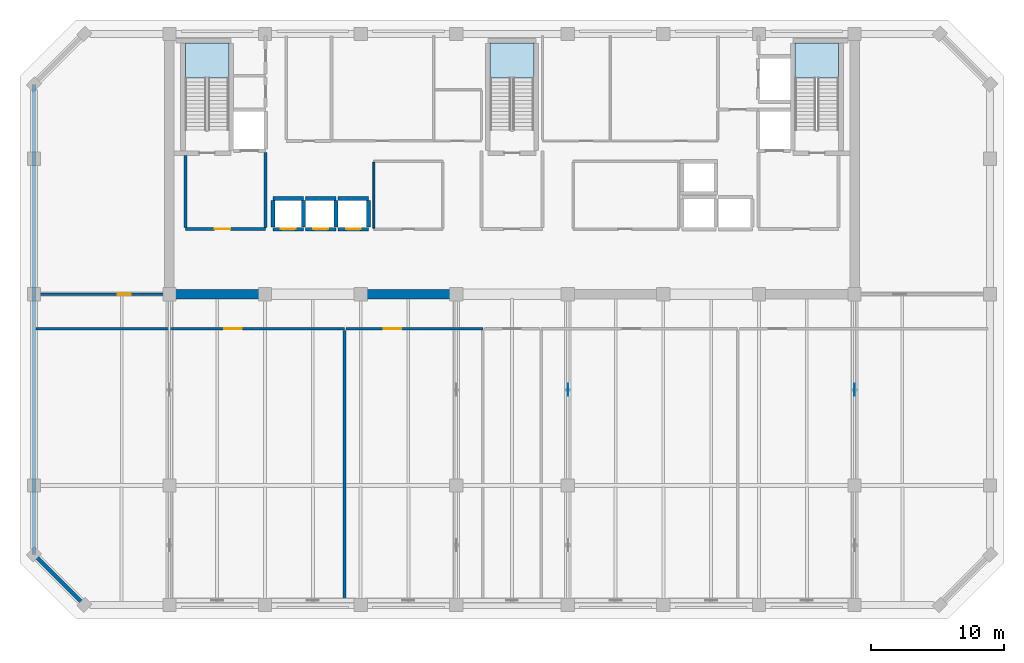
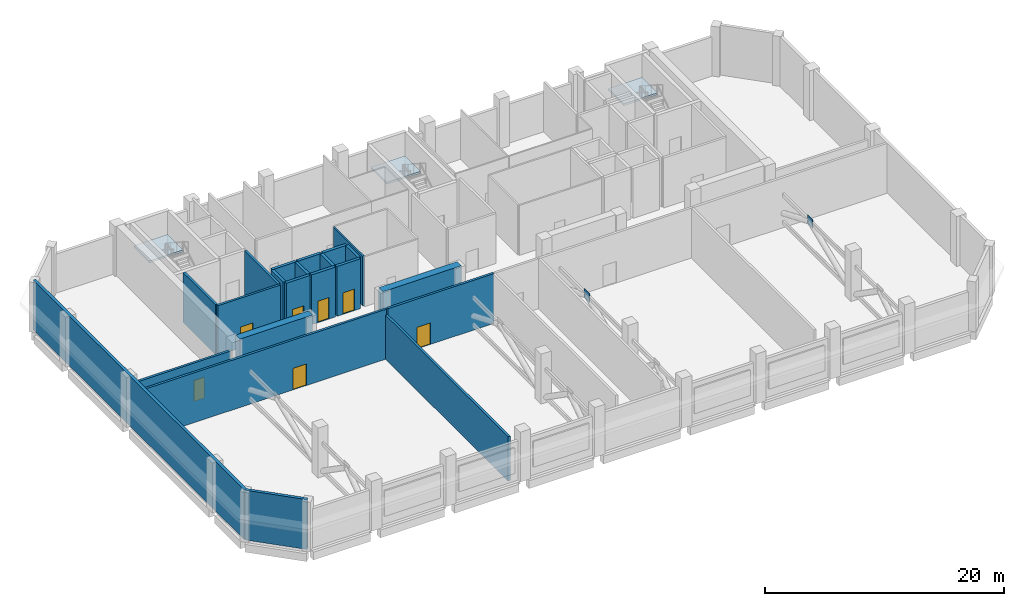
# One storey, part 5 of 11: 22 walls, 7 doors, 3 slabs, 2 plates, 7 openings, 3 elements without a shape of their own.
"""IFC4 building model written with IfcOpenShell, lengths in metres."""

from ifc_helpers import new_model, si_unit, direction, frame, frame_2d, origin, origin_2d, place, context, subcontext, project, spatial, polyline, rectangle, outline, extrude, material, layer, layer_set, type_object, element, fill, aggregate, save


model = new_model("IFC4")

# Units and contexts
model_context = context("Model", 3, precision=1e-05, world=origin(), true_north=direction((0.0, 1.0)))
body_context = subcontext(model_context, "Body", "Model", "MODEL_VIEW")
ifc_project = project(units=[si_unit("LENGTHUNIT", "METRE"), si_unit("AREAUNIT", "SQUARE_METRE"), si_unit("VOLUMEUNIT", "CUBIC_METRE"), si_unit("PLANEANGLEUNIT", "RADIAN"), si_unit("MASSUNIT", "GRAM", prefix="KILO")], contexts=[model_context])

# Site, building, storey
site_placement = place(None, origin())
site = spatial("IfcSite", under=ifc_project, at=site_placement, CompositionType="ELEMENT")
building_placement = place(site_placement, origin())
building = spatial("IfcBuilding", under=site, at=building_placement, Name="Kaelvorn Grand Hotel", CompositionType="ELEMENT")
storey_placement = place(building_placement, frame((0.0, 0.0, 280.5)))
storey = spatial("IfcBuildingStorey", under=building, at=storey_placement, Name="L69", CompositionType="ELEMENT", Elevation=280.5)

# Plates
ifc_material_1 = material(Name="Steel S460", Category="steel")
ifc_layer_1 = layer(ifc_material_1, 0.0400390625)
ifc_layer_set_1 = layer_set([ifc_layer_1], Name="Steel S460")
plate_type = type_object("IfcPlateType", Name="PL-GUSSET-40-S460", PredefinedType="USERDEFINED", material=ifc_layer_set_1)
for number, where, z_axis, x_axis, name in (
    (1, (46.199951171875, 22.199951171875, 2.900146484375), (0.0, 0.0, 1.0), (1.0, 0.0, 0.0), "L69 Outrigger Gusset End-Cap Plate 3.2"),
    (2, (67.800048828125, 22.199951171875, 2.900146484375), (0.0, 0.0, 1.0), (1.0, 0.0, 0.0), "L69 Outrigger Gusset End-Cap Plate 4.2"),
):
    element("IfcPlate", number, at=place(storey_placement, frame(where, z_axis=z_axis, x_axis=x_axis)), inside=storey, type_object=plate_type, Name=name, ObjectType="GUSSET_PLATE", PredefinedType="USERDEFINED", context=body_context, shape_type="SweptSolid", body=[
        extrude(rectangle(XDim=0.0400390625, YDim=0.89990234375, at=origin_2d()), origin(), (0.0, 0.0, 1.0), 0.89990234375),
    ])

# Stair, slab
ifc_material_2 = material(Name="Concrete C40/50", Category="concrete")
stair_type = type_object("IfcStairType", Name="STR-DOG-1560-R04", PredefinedType="HALF_TURN_STAIR", material=ifc_material_2)
stair_1_placement = place(storey_placement, origin())
stair_1 = element("IfcStair", 3, at=stair_1_placement, inside=storey, type_object=stair_type, Name="L69 West Core Exit Stair ST1", PredefinedType="HALF_TURN_STAIR")
ifc_layer_2 = layer(ifc_material_2, 0.199951171875)
ifc_layer_set_2 = layer_set([ifc_layer_2], Name="Concrete C40/50")
slab_type = type_object("IfcSlabType", Name="SLB-LAND-200-C40", PredefinedType="LANDING", material=ifc_layer_set_2)
slab_1_placement = place(storey_placement, frame((0.0, 0.0, 2.5)))
slab_1 = element("IfcSlab", 4, at=slab_1_placement, type_object=slab_type, Name="ST1 landing 1", PredefinedType="LANDING", context=body_context, shape_type="SweptSolid", body=[
    extrude(outline(polyline([(20.679931640625, 45.679931640625), (20.679931640625, 48.300048828125), (17.39990234375, 48.300048828125), (17.39990234375, 45.679931640625), (20.679931640625, 45.679931640625)])), origin(), (0.0, 0.0, 1.0), 0.199951171875),
])
aggregate(stair_1, [slab_1])

stair_2_placement = place(storey_placement, origin())
stair_2 = element("IfcStair", 5, at=stair_2_placement, inside=storey, type_object=stair_type, Name="L69 Central Core Exit Stair ST2", PredefinedType="HALF_TURN_STAIR")
slab_2_placement = place(storey_placement, frame((0.0, 0.0, 2.5)))
slab_2 = element("IfcSlab", 6, at=slab_2_placement, type_object=slab_type, Name="ST2 landing 1", PredefinedType="LANDING", context=body_context, shape_type="SweptSolid", body=[
    extrude(outline(polyline([(43.639892578125, 45.679931640625), (43.639892578125, 48.300048828125), (40.360107421875, 48.300048828125), (40.360107421875, 45.679931640625), (43.639892578125, 45.679931640625)])), origin(), (0.0, 0.0, 1.0), 0.199951171875),
])
aggregate(stair_2, [slab_2])

stair_3_placement = place(storey_placement, origin())
stair_3 = element("IfcStair", 7, at=stair_3_placement, inside=storey, type_object=stair_type, Name="L69 East Core Exit Stair ST3", PredefinedType="HALF_TURN_STAIR")
slab_3_placement = place(storey_placement, frame((0.0, 0.0, 2.5)))
slab_3 = element("IfcSlab", 8, at=slab_3_placement, type_object=slab_type, Name="ST3 landing 1", PredefinedType="LANDING", context=body_context, shape_type="SweptSolid", body=[
    extrude(outline(polyline([(66.60009765625, 45.679931640625), (66.60009765625, 48.300048828125), (63.320068359375, 48.300048828125), (63.320068359375, 45.679931640625), (66.60009765625, 45.679931640625)])), origin(), (0.0, 0.0, 1.0), 0.199951171875),
])
aggregate(stair_3, [slab_3])

# Walls
ifc_material_3 = material(Name="Concrete C50/60", Category="concrete")
ifc_layer_3 = layer(ifc_material_3, 0.699951171875)
ifc_layer_set_3 = layer_set([ifc_layer_3], Name="Concrete C50/60")
wall_type_1 = type_object("IfcWallType", Name="WL-CORE-700-C50", PredefinedType="SHEAR", material=ifc_layer_set_3)
wall_1_placement = place(storey_placement, frame((16.554931640625, 29.39990234375, 0.0), z_axis=(0.0, 0.0, 1.0), x_axis=(1.0, 0.0, 0.0)))
element("IfcWall", 9, at=wall_1_placement, inside=storey, type_object=wall_type_1, Name="L69 Rear-Core Coupled Shear Pier S1", PredefinedType="SHEAR", context=body_context, shape_type="SweptSolid", body=[
    extrude(rectangle(XDim=7.045166015625, YDim=0.699951171875, at=frame_2d((3.5224609375, 0.0))), origin(), (0.0, 0.0, 1.0), 5.10009765625),
])
wall_2_placement = place(storey_placement, frame((30.39990234375, 29.39990234375, 0.0), z_axis=(0.0, 0.0, 1.0), x_axis=(1.0, 0.0, 0.0)))
element("IfcWall", 10, at=wall_2_placement, inside=storey, type_object=wall_type_1, Name="L69 Rear-Core Coupled Shear Pier S2", PredefinedType="SHEAR", context=body_context, shape_type="SweptSolid", body=[
    extrude(rectangle(XDim=7.60009765625, YDim=0.699951171875, at=frame_2d((3.800048828125, 0.0))), origin(), (0.0, 0.0, 1.0), 5.10009765625),
])
ifc_layer_4 = layer(ifc_material_2, 0.280029296875)
ifc_layer_set_4 = layer_set([ifc_layer_4], Name="Concrete C40/50")
wall_type_2 = type_object("IfcWallType", Name="WL-EXT-280-C40", PredefinedType="SOLIDWALL", material=ifc_layer_set_4)
wall_3_placement = place(storey_placement, frame((6.0, 45.199951171875, 0.0), z_axis=(0.0, 0.0, 1.0), x_axis=(0.0, -1.0, 0.0)))
element("IfcWall", 11, at=wall_3_placement, inside=storey, type_object=wall_type_2, Name="L69 Exterior Architectural Concrete Wall 07", PredefinedType="SOLIDWALL", context=body_context, shape_type="SweptSolid", body=[
    extrude(rectangle(XDim=35.39990234375, YDim=0.280029296875, at=frame_2d((17.699951171875, 0.0))), origin(), (0.0, 0.0, 1.0), 5.10009765625),
])
wall_4_placement = place(storey_placement, frame((6.0, 9.800048828125, 0.0), z_axis=(0.0, 0.0, 1.0), x_axis=(0.707106781187, -0.707106781187, 0.0)))
element("IfcWall", 12, at=wall_4_placement, inside=storey, type_object=wall_type_2, Name="L69 Exterior Architectural Concrete Wall 08", PredefinedType="SOLIDWALL", context=body_context, shape_type="SweptSolid", body=[
    extrude(rectangle(XDim=5.3740234375, YDim=0.280029296875, at=frame_2d((2.68701171875, 0.0))), origin(), (0.0, 0.0, 1.0), 5.10009765625),
])
ifc_material_4 = material(Name="Acoustic Gypsum & Stud Partition")
ifc_layer_5 = layer(ifc_material_4, 0.14990234375)
ifc_layer_set_5 = layer_set([ifc_layer_5], Name="Acoustic Gypsum & Stud Partition")
wall_type_3 = type_object("IfcWallType", Name="WL-PART-150-EI60", PredefinedType="PARTITIONING", material=ifc_layer_set_5)
wall_5_placement = place(storey_placement, frame((31.60009765625, 34.3798828125, 0.0), z_axis=(0.0, 0.0, 1.0), x_axis=(0.0, 1.0, 0.0)))
element("IfcWall", 13, at=wall_5_placement, inside=storey, type_object=wall_type_3, Name="L69 Core Telecoms & BMS Server Room W Partition", PredefinedType="PARTITIONING", context=body_context, shape_type="SweptSolid", body=[
    extrude(rectangle(XDim=4.940185546875, YDim=0.14990234375, at=frame_2d((2.47021484375, 0.0))), origin(), (0.0, 0.0, 1.0), 5.10009765625),
])

# Wall, opening, door
ifc_layer_6 = layer(ifc_material_2, 0.219970703125)
ifc_layer_set_6 = layer_set([ifc_layer_6], Name="Concrete C40/50")
wall_type_4 = type_object("IfcWallType", Name="WL-PART-220-EI120", PredefinedType="PARTITIONING", material=ifc_layer_set_6)
wall_6_placement = place(storey_placement, frame((17.39990234375, 34.300048828125, 0.0), z_axis=(0.0, 0.0, 1.0), x_axis=(1.0, 0.0, 0.0)))
wall_6 = element("IfcWall", 14, at=wall_6_placement, inside=storey, type_object=wall_type_4, Name="L69 Firefighting Lift Lobby 1 S Partition", PredefinedType="PARTITIONING", context=body_context, shape_type="SweptSolid", body=[
    extrude(rectangle(XDim=6.050048828125, YDim=0.219970703125, at=frame_2d((3.02490234375, 0.0))), origin(), (0.0, 0.0, 1.0), 5.10009765625),
])
opening_1_placement = place(wall_6_placement, frame((2.199951171875, 0.0, 0.0)))
opening_1 = element("IfcOpeningElement", 15, at=opening_1_placement, cuts=wall_6, Name="Opening DI2", PredefinedType="OPENING", context=body_context, shape_type="SweptSolid", body=[
    extrude(rectangle(XDim=1.199951171875, YDim=2.14990234375, at=frame_2d((0.60009765625, 1.074951171875))), frame((0.0, 0.1201171875, 0.0), z_axis=(0.0, -1.0, 0.0), x_axis=(1.0, 0.0, 0.0)), (0.0, 0.0, 1.0), 0.239990234375),
])
ifc_material_5 = material(Name="Timber Veneer Fire Leaf", Category="wood")
door_type_1 = type_object("IfcDoorType", Name="DR-INT-FFLOB-1200x2150", OperationType="NOTDEFINED", PredefinedType="DOOR", material=ifc_material_5)
door_1_placement = place(opening_1_placement, origin())
door_1 = element("IfcDoor", 16, at=door_1_placement, inside=storey, type_object=door_type_1, Name="L69 Firefighting Lift Lobby 1 Door", OperationType="SINGLE_SWING_LEFT", OverallHeight=2.14990234375, OverallWidth=1.199951171875, PredefinedType="DOOR", context=body_context, shape_type="SweptSolid", body=[
    extrude(rectangle(XDim=1.199951171875, YDim=2.14990234375, at=frame_2d((0.60009765625, 1.074951171875))), frame((0.0, 0.02490234375, 0.0), z_axis=(0.0, -1.0, 0.0), x_axis=(1.0, 0.0, 0.0)), (0.0, 0.0, 1.0), 0.050048828125),
])
fill(opening_1, door_1)

# Walls
wall_7_placement = place(storey_placement, frame((17.39990234375, 34.4150390625, 0.0), z_axis=(0.0, 0.0, 1.0), x_axis=(0.0, 1.0, 0.0)))
element("IfcWall", 17, at=wall_7_placement, inside=storey, type_object=wall_type_4, Name="L69 Firefighting Lift Lobby 1 W Partition", PredefinedType="PARTITIONING", context=body_context, shape_type="SweptSolid", body=[
    extrude(rectangle(XDim=5.429931640625, YDim=0.219970703125, at=frame_2d((2.71484375, 0.0))), origin(), (0.0, 0.0, 1.0), 5.10009765625),
])
wall_8_placement = place(storey_placement, frame((23.449951171875, 34.4150390625, 0.0), z_axis=(0.0, 0.0, 1.0), x_axis=(0.0, 1.0, 0.0)))
element("IfcWall", 18, at=wall_8_placement, inside=storey, type_object=wall_type_4, Name="L69 Firefighting Lift Lobby 1 E Partition", PredefinedType="PARTITIONING", context=body_context, shape_type="SweptSolid", body=[
    extrude(rectangle(XDim=5.639892578125, YDim=0.219970703125, at=frame_2d((2.81982421875, 0.0))), origin(), (0.0, 0.0, 1.0), 5.10009765625),
])

# Wall, opening, door
wall_9_placement = place(storey_placement, frame((6.14990234375, 29.39990234375, 0.0), z_axis=(0.0, 0.0, 1.0), x_axis=(1.0, 0.0, 0.0)))
wall_9 = element("IfcWall", 19, at=wall_9_placement, inside=storey, type_object=wall_type_4, Name="L69 North-West Refuge Area S Partition", PredefinedType="PARTITIONING", context=body_context, shape_type="SweptSolid", body=[
    extrude(rectangle(XDim=9.650146484375, YDim=0.219970703125, at=frame_2d((4.8251953125, 0.0))), origin(), (0.0, 0.0, 1.0), 4.0),
])
opening_2_placement = place(wall_9_placement, frame((6.14990234375, 0.0, 0.0)))
opening_2 = element("IfcOpeningElement", 20, at=opening_2_placement, cuts=wall_9, Name="Opening DI3", PredefinedType="OPENING", context=body_context, shape_type="SweptSolid", body=[
    extrude(rectangle(XDim=1.0, YDim=2.14990234375, at=frame_2d((0.5, 1.074951171875))), frame((0.0, 0.1201171875, 0.0), z_axis=(0.0, -1.0, 0.0), x_axis=(1.0, 0.0, 0.0)), (0.0, 0.0, 1.0), 0.239990234375),
])
door_type_2 = type_object("IfcDoorType", Name="DR-INT-GUEST-1000x2150", OperationType="NOTDEFINED", PredefinedType="DOOR", material=ifc_material_5)
door_2_placement = place(opening_2_placement, origin())
door_2 = element("IfcDoor", 21, at=door_2_placement, inside=storey, type_object=door_type_2, Name="L69 North-West Refuge Area Door", OperationType="SINGLE_SWING_RIGHT", OverallHeight=2.14990234375, OverallWidth=1.0, PredefinedType="DOOR", context=body_context, shape_type="SweptSolid", body=[
    extrude(rectangle(XDim=1.0, YDim=2.14990234375, at=frame_2d((0.5, 1.074951171875))), frame((0.0, 0.02490234375, 0.0), z_axis=(0.0, -1.0, 0.0), x_axis=(1.0, 0.0, 0.0)), (0.0, 0.0, 1.0), 0.050048828125),
])
fill(opening_2, door_2)

wall_10_placement = place(storey_placement, frame((6.14990234375, 26.800048828125, 0.0), z_axis=(0.0, 0.0, 1.0), x_axis=(1.0, 0.0, 0.0)))
wall_10 = element("IfcWall", 22, at=wall_10_placement, inside=storey, type_object=wall_type_4, Name="L69 Chilled-Water Heat Exchanger Plant Room N Partition", PredefinedType="PARTITIONING", context=body_context, shape_type="SweptSolid", body=[
    extrude(rectangle(XDim=23.25, YDim=0.219970703125, at=frame_2d((11.625, 0.0))), origin(), (0.0, 0.0, 1.0), 5.10009765625),
])
opening_3_placement = place(wall_10_placement, frame((14.199951171875, 0.0, 0.0)))
opening_3 = element("IfcOpeningElement", 23, at=opening_3_placement, cuts=wall_10, Name="Opening DI6", PredefinedType="OPENING", context=body_context, shape_type="SweptSolid", body=[
    extrude(rectangle(XDim=1.300048828125, YDim=2.199951171875, at=frame_2d((0.64990234375, 1.10009765625))), frame((0.0, 0.1201171875, 0.0), z_axis=(0.0, -1.0, 0.0), x_axis=(1.0, 0.0, 0.0)), (0.0, 0.0, 1.0), 0.239990234375),
])
ifc_material_6 = material(Name="Powder-Coated Steel Leaf", Category="steel")
door_type_3 = type_object("IfcDoorType", Name="DR-INT-PLANT-1300x2200", OperationType="DOUBLE_DOOR_SINGLE_SWING", PredefinedType="DOOR", material=ifc_material_6)
door_3_placement = place(opening_3_placement, origin())
door_3 = element("IfcDoor", 24, at=door_3_placement, inside=storey, type_object=door_type_3, Name="L69 Chilled-Water Heat Exchanger Plant Room Door", OperationType="DOUBLE_DOOR_SINGLE_SWING", OverallHeight=2.199951171875, OverallWidth=1.300048828125, PredefinedType="DOOR", context=body_context, shape_type="SweptSolid", body=[
    extrude(rectangle(XDim=1.300048828125, YDim=2.199951171875, at=frame_2d((0.64990234375, 1.10009765625))), frame((0.0, 0.02490234375, 0.0), z_axis=(0.0, -1.0, 0.0), x_axis=(1.0, 0.0, 0.0)), (0.0, 0.0, 1.0), 0.050048828125),
])
fill(opening_3, door_3)

# Wall
wall_11_placement = place(storey_placement, frame((29.39990234375, 6.14990234375, 0.0), z_axis=(0.0, 0.0, 1.0), x_axis=(0.0, 1.0, 0.0)))
element("IfcWall", 25, at=wall_11_placement, inside=storey, type_object=wall_type_4, Name="L69 Chilled-Water Heat Exchanger Plant Room E Partition", PredefinedType="PARTITIONING", context=body_context, shape_type="SweptSolid", body=[
    extrude(rectangle(XDim=20.53515625, YDim=0.219970703125, at=frame_2d((10.267578125, 0.0))), origin(), (0.0, 0.0, 1.0), 4.530029296875),
])

# Wall, opening, door
wall_12_placement = place(storey_placement, frame((29.514892578125, 26.800048828125, 0.0), z_axis=(0.0, 0.0, 1.0), x_axis=(1.0, 0.0, 0.0)))
wall_12 = element("IfcWall", 26, at=wall_12_placement, inside=storey, type_object=wall_type_4, Name="L69 AHU Mechanical Ventilation Plant Room N Partition", PredefinedType="PARTITIONING", context=body_context, shape_type="SweptSolid", body=[
    extrude(rectangle(XDim=10.28515625, YDim=0.219970703125, at=frame_2d((5.142578125, 0.0))), origin(), (0.0, 0.0, 1.0), 5.10009765625),
])
opening_4_placement = place(wall_12_placement, frame((2.8349609375, 0.0, 0.0)))
opening_4 = element("IfcOpeningElement", 27, at=opening_4_placement, cuts=wall_12, Name="Opening DI6", PredefinedType="OPENING", context=body_context, shape_type="SweptSolid", body=[
    extrude(rectangle(XDim=1.300048828125, YDim=2.199951171875, at=frame_2d((0.64990234375, 1.10009765625))), frame((0.0, 0.1201171875, 0.0), z_axis=(0.0, -1.0, 0.0), x_axis=(1.0, 0.0, 0.0)), (0.0, 0.0, 1.0), 0.239990234375),
])
door_4_placement = place(opening_4_placement, origin())
door_4 = element("IfcDoor", 28, at=door_4_placement, inside=storey, type_object=door_type_3, Name="L69 AHU Mechanical Ventilation Plant Room Door", OperationType="DOUBLE_DOOR_SINGLE_SWING", OverallHeight=2.199951171875, OverallWidth=1.300048828125, PredefinedType="DOOR", context=body_context, shape_type="SweptSolid", body=[
    extrude(rectangle(XDim=1.300048828125, YDim=2.199951171875, at=frame_2d((0.64990234375, 1.10009765625))), frame((0.0, 0.02490234375, 0.0), z_axis=(0.0, -1.0, 0.0), x_axis=(1.0, 0.0, 0.0)), (0.0, 0.0, 1.0), 0.050048828125),
])
fill(opening_4, door_4)

ifc_layer_7 = layer(ifc_material_3, 0.280029296875)
ifc_layer_set_7 = layer_set([ifc_layer_7], Name="Concrete C50/60")
wall_type_5 = type_object("IfcWallType", Name="WL-SHAFT-280-C50", PredefinedType="SHEAR", material=ifc_layer_set_7)
wall_13_placement = place(storey_placement, frame((24.0, 34.300048828125, 0.0), z_axis=(0.0, 0.0, 1.0), x_axis=(1.0, 0.0, 0.0)))
wall_13 = element("IfcWall", 29, at=wall_13_placement, inside=storey, type_object=wall_type_5, Name="L69 Lift PL-H1 Shaft South Wall", PredefinedType="SHEAR", context=body_context, shape_type="SweptSolid", body=[
    extrude(rectangle(XDim=2.300048828125, YDim=0.280029296875, at=frame_2d((1.14990234375, 0.0))), origin(), (0.0, 0.0, 1.0), 5.10009765625),
])
opening_5_placement = place(wall_13_placement, frame((0.60009765625, 0.0, 0.0)))
opening_5 = element("IfcOpeningElement", 30, at=opening_5_placement, cuts=wall_13, Name="Opening LD-PL-H1", PredefinedType="OPENING", context=body_context, shape_type="SweptSolid", body=[
    extrude(rectangle(XDim=1.10009765625, YDim=2.199951171875, at=frame_2d((0.550048828125, 1.10009765625))), frame((0.0, 0.14990234375, 0.0), z_axis=(0.0, -1.0, 0.0), x_axis=(1.0, 0.0, 0.0)), (0.0, 0.0, 1.0), 0.300048828125),
])
ifc_material_7 = material(Name="Stainless Steel", Category="steel")
door_type_4 = type_object("IfcDoorType", Name="DR-LIFT-PASS-1100x2200", OperationType="DOUBLE_DOOR_SLIDING", PredefinedType="DOOR", material=ifc_material_7)
door_5_placement = place(opening_5_placement, origin())
door_5 = element("IfcDoor", 31, at=door_5_placement, inside=storey, type_object=door_type_4, Name="L69 Lift PL-H1 Sliding Landing Door LD-PL-H1", OperationType="DOUBLE_DOOR_SLIDING", OverallHeight=2.199951171875, OverallWidth=1.10009765625, PredefinedType="DOOR", context=body_context, shape_type="SweptSolid", body=[
    extrude(rectangle(XDim=1.10009765625, YDim=2.199951171875, at=frame_2d((0.550048828125, 1.10009765625))), frame((0.0, 0.02490234375, 0.0), z_axis=(0.0, -1.0, 0.0), x_axis=(1.0, 0.0, 0.0)), (0.0, 0.0, 1.0), 0.050048828125),
])
fill(opening_5, door_5)

# Walls
wall_14_placement = place(storey_placement, frame((24.0, 36.60009765625, 0.0), z_axis=(0.0, 0.0, 1.0), x_axis=(1.0, 0.0, 0.0)))
element("IfcWall", 32, at=wall_14_placement, inside=storey, type_object=wall_type_5, Name="L69 Lift PL-H1 Shaft North Wall", PredefinedType="SHEAR", context=body_context, shape_type="SweptSolid", body=[
    extrude(rectangle(XDim=2.300048828125, YDim=0.280029296875, at=frame_2d((1.14990234375, 0.0))), origin(), (0.0, 0.0, 1.0), 5.10009765625),
])
for number, where, z_axis, x_axis, name in (
    (33, (24.0, 34.445068359375, 0.0), (0.0, 0.0, 1.0), (0.0, 1.0, 0.0), "L69 Lift PL-H1 Shaft West Wall"),
    (34, (26.300048828125, 34.445068359375, 0.0), (0.0, 0.0, 1.0), (0.0, 1.0, 0.0), "L69 Lift PL-H1 Shaft East Wall"),
):
    element("IfcWall", number, at=place(storey_placement, frame(where, z_axis=z_axis, x_axis=x_axis)), inside=storey, type_object=wall_type_5, Name=name, PredefinedType="SHEAR", context=body_context, shape_type="SweptSolid", body=[
        extrude(rectangle(XDim=2.010009765625, YDim=0.280029296875, at=frame_2d((1.0048828125, 0.0))), origin(), (0.0, 0.0, 1.0), 5.10009765625),
    ])

# Wall, opening, door
wall_15_placement = place(storey_placement, frame((26.449951171875, 34.300048828125, 0.0), z_axis=(0.0, 0.0, 1.0), x_axis=(1.0, 0.0, 0.0)))
wall_15 = element("IfcWall", 35, at=wall_15_placement, inside=storey, type_object=wall_type_5, Name="L69 Lift PL-H2 Shaft South Wall", PredefinedType="SHEAR", context=body_context, shape_type="SweptSolid", body=[
    extrude(rectangle(XDim=2.300048828125, YDim=0.280029296875, at=frame_2d((1.14990234375, 0.0))), origin(), (0.0, 0.0, 1.0), 5.10009765625),
])
opening_6_placement = place(wall_15_placement, frame((0.60009765625, 0.0, 0.0)))
opening_6 = element("IfcOpeningElement", 36, at=opening_6_placement, cuts=wall_15, Name="Opening LD-PL-H2", PredefinedType="OPENING", context=body_context, shape_type="SweptSolid", body=[
    extrude(rectangle(XDim=1.10009765625, YDim=2.199951171875, at=frame_2d((0.550048828125, 1.10009765625))), frame((0.0, 0.14990234375, 0.0), z_axis=(0.0, -1.0, 0.0), x_axis=(1.0, 0.0, 0.0)), (0.0, 0.0, 1.0), 0.300048828125),
])
door_6_placement = place(opening_6_placement, origin())
door_6 = element("IfcDoor", 37, at=door_6_placement, inside=storey, type_object=door_type_4, Name="L69 Lift PL-H2 Sliding Landing Door LD-PL-H2", OperationType="DOUBLE_DOOR_SLIDING", OverallHeight=2.199951171875, OverallWidth=1.10009765625, PredefinedType="DOOR", context=body_context, shape_type="SweptSolid", body=[
    extrude(rectangle(XDim=1.10009765625, YDim=2.199951171875, at=frame_2d((0.550048828125, 1.10009765625))), frame((0.0, 0.02490234375, 0.0), z_axis=(0.0, -1.0, 0.0), x_axis=(1.0, 0.0, 0.0)), (0.0, 0.0, 1.0), 0.050048828125),
])
fill(opening_6, door_6)

# Walls
wall_16_placement = place(storey_placement, frame((26.449951171875, 36.60009765625, 0.0), z_axis=(0.0, 0.0, 1.0), x_axis=(1.0, 0.0, 0.0)))
element("IfcWall", 38, at=wall_16_placement, inside=storey, type_object=wall_type_5, Name="L69 Lift PL-H2 Shaft North Wall", PredefinedType="SHEAR", context=body_context, shape_type="SweptSolid", body=[
    extrude(rectangle(XDim=2.300048828125, YDim=0.280029296875, at=frame_2d((1.14990234375, 0.0))), origin(), (0.0, 0.0, 1.0), 5.10009765625),
])
wall_17_placement = place(storey_placement, frame((28.75, 34.445068359375, 0.0), z_axis=(0.0, 0.0, 1.0), x_axis=(0.0, 1.0, 0.0)))
element("IfcWall", 39, at=wall_17_placement, inside=storey, type_object=wall_type_5, Name="L69 Lift PL-H2 Shaft East Wall", PredefinedType="SHEAR", context=body_context, shape_type="SweptSolid", body=[
    extrude(rectangle(XDim=2.010009765625, YDim=0.280029296875, at=frame_2d((1.0048828125, 0.0))), origin(), (0.0, 0.0, 1.0), 5.10009765625),
])

# Wall, opening, door
wall_18_placement = place(storey_placement, frame((28.89990234375, 34.300048828125, 0.0), z_axis=(0.0, 0.0, 1.0), x_axis=(1.0, 0.0, 0.0)))
wall_18 = element("IfcWall", 40, at=wall_18_placement, inside=storey, type_object=wall_type_5, Name="L69 Lift PL-H3 Shaft South Wall", PredefinedType="SHEAR", context=body_context, shape_type="SweptSolid", body=[
    extrude(rectangle(XDim=2.300048828125, YDim=0.280029296875, at=frame_2d((1.14990234375, 0.0))), origin(), (0.0, 0.0, 1.0), 5.10009765625),
])
opening_7_placement = place(wall_18_placement, frame((0.60009765625, 0.0, 0.0)))
opening_7 = element("IfcOpeningElement", 41, at=opening_7_placement, cuts=wall_18, Name="Opening LD-PL-H3", PredefinedType="OPENING", context=body_context, shape_type="SweptSolid", body=[
    extrude(rectangle(XDim=1.10009765625, YDim=2.199951171875, at=frame_2d((0.550048828125, 1.10009765625))), frame((0.0, 0.14990234375, 0.0), z_axis=(0.0, -1.0, 0.0), x_axis=(1.0, 0.0, 0.0)), (0.0, 0.0, 1.0), 0.300048828125),
])
door_7_placement = place(opening_7_placement, origin())
door_7 = element("IfcDoor", 42, at=door_7_placement, inside=storey, type_object=door_type_4, Name="L69 Lift PL-H3 Sliding Landing Door LD-PL-H3", OperationType="DOUBLE_DOOR_SLIDING", OverallHeight=2.199951171875, OverallWidth=1.10009765625, PredefinedType="DOOR", context=body_context, shape_type="SweptSolid", body=[
    extrude(rectangle(XDim=1.10009765625, YDim=2.199951171875, at=frame_2d((0.550048828125, 1.10009765625))), frame((0.0, 0.02490234375, 0.0), z_axis=(0.0, -1.0, 0.0), x_axis=(1.0, 0.0, 0.0)), (0.0, 0.0, 1.0), 0.050048828125),
])
fill(opening_7, door_7)

# Walls
wall_19_placement = place(storey_placement, frame((28.89990234375, 36.60009765625, 0.0), z_axis=(0.0, 0.0, 1.0), x_axis=(1.0, 0.0, 0.0)))
element("IfcWall", 43, at=wall_19_placement, inside=storey, type_object=wall_type_5, Name="L69 Lift PL-H3 Shaft North Wall", PredefinedType="SHEAR", context=body_context, shape_type="SweptSolid", body=[
    extrude(rectangle(XDim=2.300048828125, YDim=0.280029296875, at=frame_2d((1.14990234375, 0.0))), origin(), (0.0, 0.0, 1.0), 5.10009765625),
])
wall_20_placement = place(storey_placement, frame((31.199951171875, 34.445068359375, 0.0), z_axis=(0.0, 0.0, 1.0), x_axis=(0.0, 1.0, 0.0)))
element("IfcWall", 44, at=wall_20_placement, inside=storey, type_object=wall_type_5, Name="L69 Lift PL-H3 Shaft East Wall", PredefinedType="SHEAR", context=body_context, shape_type="SweptSolid", body=[
    extrude(rectangle(XDim=2.010009765625, YDim=0.280029296875, at=frame_2d((1.0048828125, 0.0))), origin(), (0.0, 0.0, 1.0), 5.10009765625),
])

save(model, "model.ifc")
